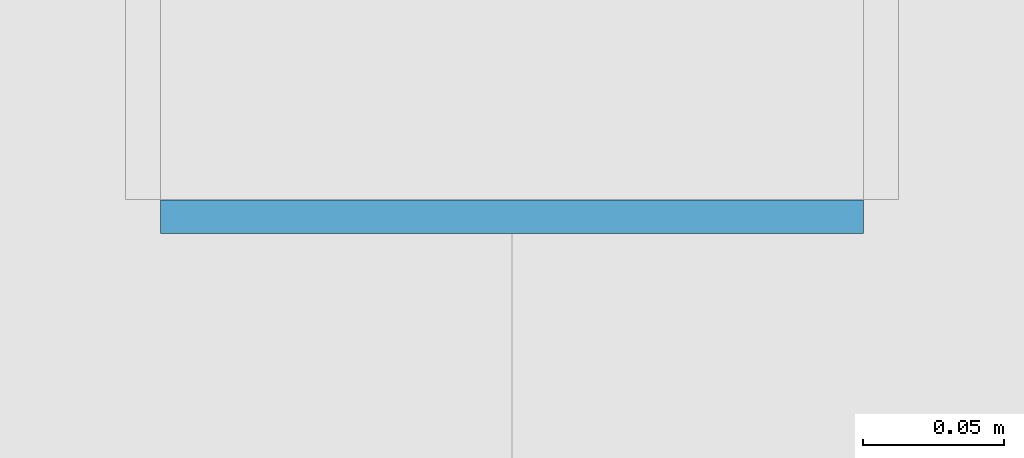
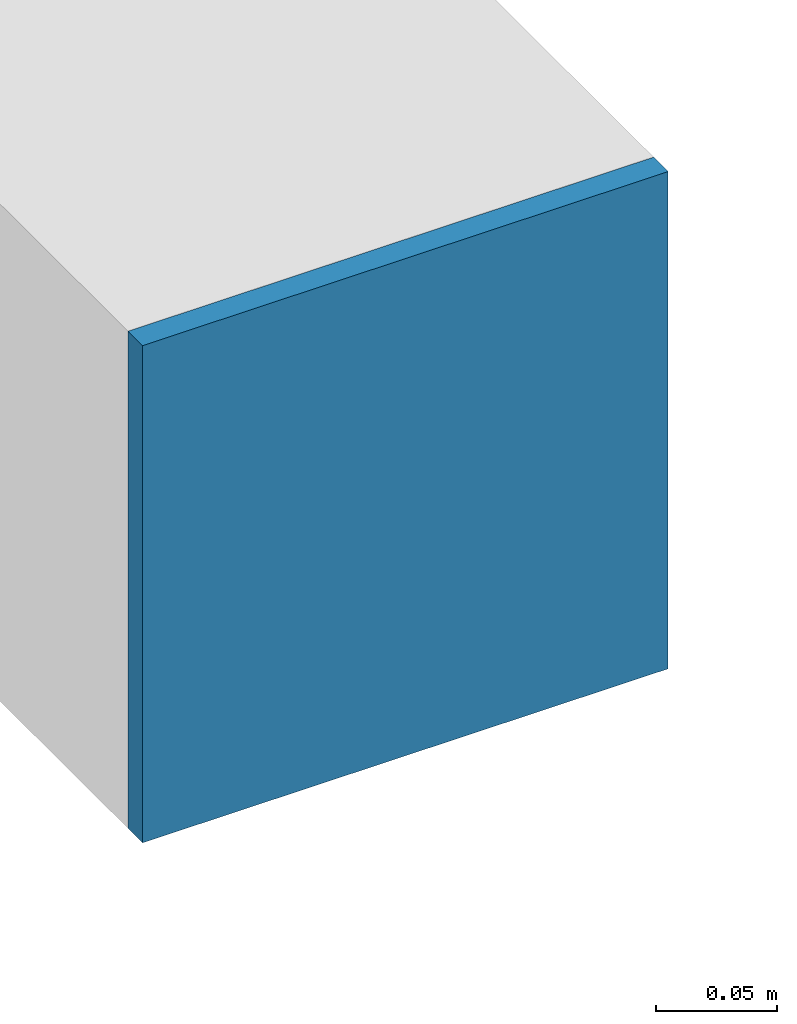
# One storey, part 45 of 58: 1 plate.
"""IFC4 building model written with IfcOpenShell, lengths in metres."""

from ifc_helpers import new_model, si_unit, direction, frame, origin, origin_2d, place, context, subcontext, project, spatial, rectangle, extrude, source, transform, mapped, material, layer, layer_set, type_object, element, save


model = new_model("IFC4")

# Units and contexts
model_context = context("Model", 3, precision=1e-05, world=origin(), true_north=direction((0.0, 1.0)))
body_context = subcontext(model_context, "Body", "Model", "MODEL_VIEW")
ifc_project = project(units=[si_unit("LENGTHUNIT", "METRE"), si_unit("AREAUNIT", "SQUARE_METRE"), si_unit("VOLUMEUNIT", "CUBIC_METRE"), si_unit("PLANEANGLEUNIT", "RADIAN"), si_unit("MASSUNIT", "GRAM", prefix="KILO")], contexts=[model_context])

# Site, building, storey
site_placement = place(None, origin())
site = spatial("IfcSite", under=ifc_project, at=site_placement, CompositionType="ELEMENT")
building_placement = place(site_placement, origin())
building = spatial("IfcBuilding", under=site, at=building_placement, Name="Taldren Reach Tower", CompositionType="ELEMENT")
storey_placement = place(building_placement, frame((0.0, 0.0, 32.550048828125)))
storey = spatial("IfcBuildingStorey", under=building, at=storey_placement, Name="L09", CompositionType="ELEMENT", Elevation=32.550048828125)

# Plate
ifc_material = material(Name="Steel Gr 350 (C350L0)", Category="steel")
ifc_layer = layer(ifc_material, 0.011962890625)
ifc_layer_set = layer_set([ifc_layer], Name="Steel Gr 350 (C350L0)")
plate_type = type_object("IfcPlateType", Name="PL-CAP-250", PredefinedType="SHEET", material=ifc_layer_set)
shared_shape = source(origin(), body_context, "Body", "SweptSolid", [
    extrude(rectangle(XDim=0.25, YDim=0.011962890625, at=origin_2d()), origin(), (0.0, 0.0, 1.0), 0.25),
])
plate_placement = place(storey_placement, frame((29.760009765625, 0.593994140625, 0.094970703125), z_axis=(0.0, 0.0, 1.0), x_axis=(1.0, 0.0, 0.0)))
element("IfcPlate", 1, at=plate_placement, inside=storey, type_object=plate_type, Name="Tie strut end cap plate B1-S3 L09", PredefinedType="SHEET", context=body_context, shape_type="MappedRepresentation", body=[
    mapped(shared_shape, transform((0.0, 0.0, 0.0), scale=1.0)),
])

save(model, "model.ifc")
